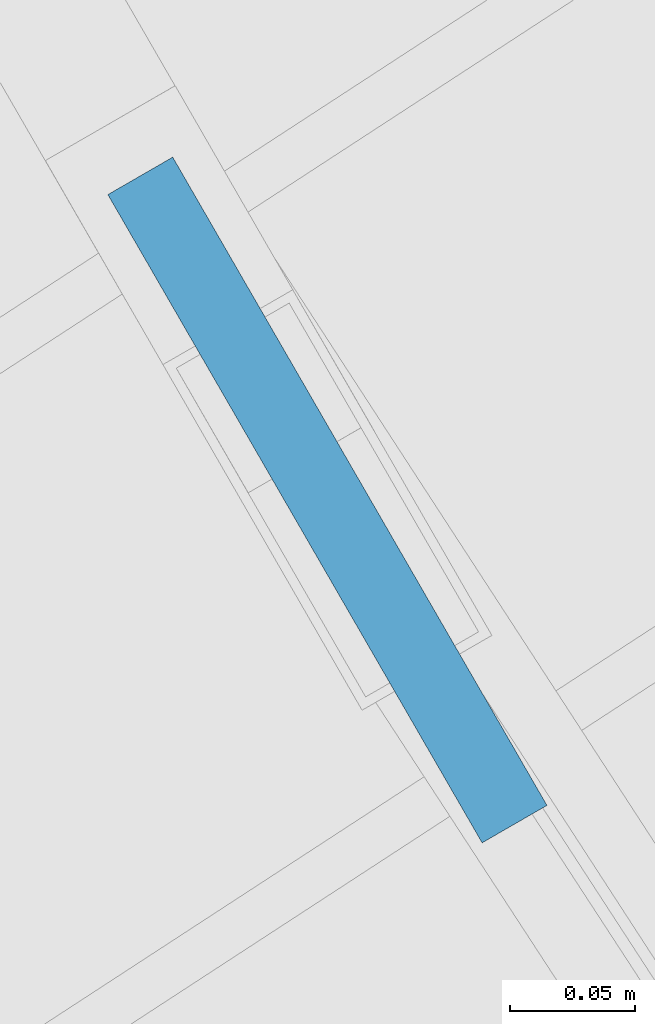
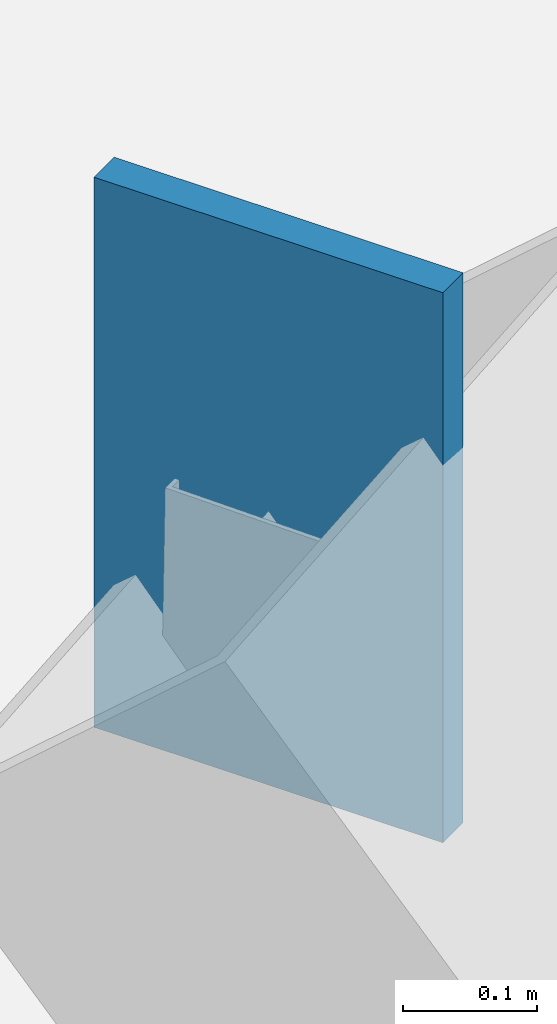
# One storey, part 34 of 38: 1 discrete accessory.
"""IFC4 building model written with IfcOpenShell, lengths in metres."""

import ifcopenshell
import ifcopenshell.guid

model = None  # the IFC model being written
_history = None  # IfcOwnerHistory: only IFC2X3 demands one
_inside = {}  # id of a spatial element -> (the spatial element, [elements in it])
_under = {}  # id of a project, library or spatial element -> (it, [spatial elements below it])
_declared = {}  # id of a project -> (the project, [libraries it declares])
_typed = {}  # id of a type object -> (the type object, [elements of that type])
_made_of = {}  # id of a material, layer set ... -> (it, [elements and type objects made of it])


def new_model(schema):
    """Start an empty IFC model of exactly this schema.

    Asked for "IFC4X3", IfcOpenShell would pick the latest addendum, in which some entities
    have other attributes; the version numbers below select the first issue.
    IFC2X3 requires an IfcOwnerHistory on every rooted entity: one is made here for all.
    """
    global model, _history
    if schema == "IFC4X3":
        model = ifcopenshell.file(schema_version=(4, 3, 0, 0))
    else:
        model = ifcopenshell.file(schema=schema)
    _inside.clear()
    _under.clear()
    _declared.clear()
    _typed.clear()
    _made_of.clear()
    _history = None
    if model.schema == "IFC2X3":
        org = make("IfcOrganization", Name="unknown")
        user = make(
            "IfcPersonAndOrganization",
            ThePerson=make("IfcPerson", FamilyName="unknown"),
            TheOrganization=org,
        )
        app = make(
            "IfcApplication",
            ApplicationDeveloper=org,
            Version="unknown",
            ApplicationFullName="unknown",
            ApplicationIdentifier="unknown",
        )
        _history = make(
            "IfcOwnerHistory",
            OwningUser=user,
            OwningApplication=app,
            ChangeAction="ADDED",
            CreationDate=0,
        )
    return model


def make(cls, **values):
    """One entity of the class cls with the attributes given. An attribute that is None is left unset."""
    return model.create_entity(
        cls, **{name: value for name, value in values.items() if value is not None}
    )


def rooted(cls, **values):
    """An entity with a GlobalId (a new one), such as an element, a storey or a relation."""
    return make(cls, GlobalId=ifcopenshell.guid.new(), OwnerHistory=_history, **values)


def si_unit(unit_type, name, prefix=None):
    """IfcSIUnit, for example si_unit("LENGTHUNIT", "METRE", prefix="MILLI")."""
    return make("IfcSIUnit", UnitType=unit_type, Prefix=prefix, Name=name)


def assignment(units):
    """IfcUnitAssignment: the units of a project."""
    return None if units is None else make("IfcUnitAssignment", Units=units)


def point(xyz):
    """IfcCartesianPoint."""
    return None if xyz is None else make("IfcCartesianPoint", Coordinates=xyz)


def direction(xyz):
    """IfcDirection."""
    return None if xyz is None else make("IfcDirection", DirectionRatios=xyz)


def frame(location, z_axis=None, x_axis=None):
    """IfcAxis2Placement3D, a coordinate frame: its origin and axes. An axis left out is left unset."""
    return make(
        "IfcAxis2Placement3D",
        Location=point(location),
        Axis=direction(z_axis),
        RefDirection=direction(x_axis),
    )


def frame_2d(location, x_axis=None):
    """IfcAxis2Placement2D, a coordinate frame in the plane: its origin and x axis."""
    return make(
        "IfcAxis2Placement2D", Location=point(location), RefDirection=direction(x_axis)
    )


def origin():
    """The frame at (0, 0, 0) with its axes left unset."""
    return frame((0.0, 0.0, 0.0))


def origin_2d():
    """The frame at (0, 0) in the plane with its x axis left unset."""
    return frame_2d((0.0, 0.0))


def place(relative_to, where):
    """IfcLocalPlacement: puts the frame where relative to a parent placement (None: the world)."""
    return make(
        "IfcLocalPlacement", PlacementRelTo=relative_to, RelativePlacement=where
    )


def context(
    kind, dimensions, precision=None, world=None, true_north=None, identifier=None
):
    """IfcGeometricRepresentationContext, for example the 3D "Model" context."""
    return make(
        "IfcGeometricRepresentationContext",
        ContextIdentifier=identifier,
        ContextType=kind,
        CoordinateSpaceDimension=dimensions,
        Precision=precision,
        WorldCoordinateSystem=world,
        TrueNorth=true_north,
    )


def subcontext(parent, identifier, kind, view, scale=None):
    """IfcGeometricRepresentationSubContext, for example "Body" below "Model"."""
    return make(
        "IfcGeometricRepresentationSubContext",
        ContextIdentifier=identifier,
        ContextType=kind,
        ParentContext=parent,
        TargetScale=scale,
        TargetView=view,
    )


def project(units=None, contexts=None):
    """IfcProject with its units and contexts."""
    return rooted(
        "IfcProject",
        Name="project",
        RepresentationContexts=contexts,
        UnitsInContext=assignment(units),
    )


def spatial(cls, under=None, at=None, **own):
    """A site, building, storey or space (cls), placed at a placement, below another one or the project."""
    s = rooted(cls, ObjectPlacement=at, **own)
    if under is not None:
        _under.setdefault(under.id(), (under, []))[1].append(s)
    return s


def profile(cls, at=None, kind="AREA", **sizes):
    """A parametric profile (cls). Its sizes go by their IFC names, for example OverallWidth=200.0."""
    return make(cls, ProfileType=kind, Position=at, **sizes)


def rectangle(**sizes):
    """IfcRectangleProfileDef."""
    return profile("IfcRectangleProfileDef", **sizes)


def extrude(swept, where, along, depth):
    """IfcExtrudedAreaSolid: the profile swept, set in the frame where, extruded along a direction by depth."""
    return make(
        "IfcExtrudedAreaSolid",
        SweptArea=swept,
        Position=where,
        ExtrudedDirection=direction(along),
        Depth=depth,
    )


def shape(context_of_items, identifier, shape_type, items):
    """IfcShapeRepresentation: the items that make up one representation, for example the "Body"."""
    return make(
        "IfcShapeRepresentation",
        ContextOfItems=context_of_items,
        RepresentationIdentifier=identifier,
        RepresentationType=shape_type,
        Items=items,
    )


def material(Name=None, Category=None):
    """IfcMaterial."""
    return make("IfcMaterial", Name=Name, Category=Category)


def layer(
    of_material, thickness, ventilated=None, Name=None, Category=None, Priority=None
):
    """IfcMaterialLayer: one layer of a wall or slab, of a material (None: an air gap)."""
    return make(
        "IfcMaterialLayer",
        Material=of_material,
        LayerThickness=thickness,
        IsVentilated=ventilated,
        Name=Name,
        Category=Category,
        Priority=Priority,
    )


def layer_set(layers, Name=None):
    """IfcMaterialLayerSet."""
    return make("IfcMaterialLayerSet", MaterialLayers=layers, LayerSetName=Name)


def made_of(thing, what):
    """Note that an element or type object is made of a material, layer set ...; save() writes the relation."""
    if what is not None:
        _made_of.setdefault(what.id(), (what, []))[1].append(thing)
    return thing


def type_object(cls, material=None, **own):
    """A type object (cls), such as IfcWallType, which elements share."""
    return made_of(rooted(cls, **own), material)


def element(
    cls,
    number,
    at=None,
    inside=None,
    cuts=None,
    type_object=None,
    material=None,
    context=None,
    identifier="Body",
    shape_type=None,
    held_by="IfcProductDefinitionShape",
    body=None,
    shapes=None,
    **own,
):
    """One element of the class cls, such as IfcWall. Its Tag is "e" and its number.

    at: its placement. inside: the storey or other place that contains it. cuts: it is an
    opening in that element (IfcRelVoidsElement). A single representation is given by context,
    identifier, shape_type and body (its items); several are given by shapes. held_by: the class
    of the entity that holds the representations. save() writes the other relations.
    """
    e = rooted(cls, Tag="e%d" % number, ObjectPlacement=at, **own)
    if body is not None:
        shapes = [shape(context, identifier, shape_type, body)]
    if shapes is not None:
        e.Representation = make(held_by, Representations=shapes)
    if inside is not None:
        _inside.setdefault(inside.id(), (inside, []))[1].append(e)
    if cuts is not None:
        rooted(
            "IfcRelVoidsElement", RelatingBuildingElement=cuts, RelatedOpeningElement=e
        )
    if type_object is not None:
        _typed.setdefault(type_object.id(), (type_object, []))[1].append(e)
    return made_of(e, material)


def aggregate(whole, parts):
    """IfcRelAggregates: a whole, such as a stair, and the parts it consists of."""
    return rooted("IfcRelAggregates", RelatingObject=whole, RelatedObjects=parts)


def save(model, path):
    """Write the relations noted so far, then the file.

    IfcRelAggregates (storeys below a building ...), IfcRelContainedInSpatialStructure (elements
    in a storey), IfcRelDefinesByType, IfcRelAssociatesMaterial and IfcRelDeclares: one each for
    every whole, place, type object, material and project.
    """
    for whole, parts in _under.values():
        aggregate(whole, parts)
    for where, things in _inside.values():
        rooted(
            "IfcRelContainedInSpatialStructure",
            RelatedElements=things,
            RelatingStructure=where,
        )
    for kind, things in _typed.values():
        rooted("IfcRelDefinesByType", RelatedObjects=things, RelatingType=kind)
    for what, things in _made_of.values():
        rooted("IfcRelAssociatesMaterial", RelatedObjects=things, RelatingMaterial=what)
    for by, libraries in _declared.values():
        rooted("IfcRelDeclares", RelatingContext=by, RelatedDefinitions=libraries)
    model.write(path)


model = new_model("IFC4")

# Units and contexts
model_context = context("Model", 3, precision=1e-05, world=origin(), true_north=direction((0.0, 1.0)))
body_context = subcontext(model_context, "Body", "Model", "MODEL_VIEW")
ifc_project = project(units=[si_unit("LENGTHUNIT", "METRE"), si_unit("AREAUNIT", "SQUARE_METRE"), si_unit("VOLUMEUNIT", "CUBIC_METRE"), si_unit("PLANEANGLEUNIT", "RADIAN"), si_unit("MASSUNIT", "GRAM", prefix="KILO")], contexts=[model_context])

# Site, building, storey
site_placement = place(None, origin())
site = spatial("IfcSite", under=ifc_project, at=site_placement, CompositionType="ELEMENT")
building_placement = place(site_placement, origin())
building = spatial("IfcBuilding", under=site, at=building_placement, Name="Ostrander Bayou Hotel Tower", CompositionType="ELEMENT")
storey_placement = place(building_placement, frame((0.0, 0.0, 96.75)))
storey = spatial("IfcBuildingStorey", under=building, at=storey_placement, Name="L24", CompositionType="ELEMENT", Elevation=96.75)

# Discrete accessory
ifc_material = material(Name="Steel ASTM A572 Gr 50", Category="steel")
ifc_layer = layer(ifc_material, 0.030029296875)
ifc_layer_set = layer_set([ifc_layer], Name="GP1 gusset plate 30 mm")
discrete_accessory_type = type_object("IfcDiscreteAccessoryType", Name="GP1 gusset plate 30 mm", PredefinedType="BRACKET", material=ifc_layer_set)
discrete_accessory_placement = place(storey_placement, frame((-22.66748046875, -1.87890625, 10.39990234375), z_axis=(0.0, 0.0, 1.0), x_axis=(0.5, -0.866025403784, 0.0)))
element("IfcDiscreteAccessory", 1, at=discrete_accessory_placement, inside=storey, type_object=discrete_accessory_type, Name="GP1 gusset plate lat 147", PredefinedType="BRACKET", context=body_context, shape_type="SweptSolid", body=[
    extrude(rectangle(XDim=0.300048828125, YDim=0.030029296875, at=origin_2d()), origin(), (0.0, 0.0, 1.0), 0.5),
])

save(model, "model.ifc")
